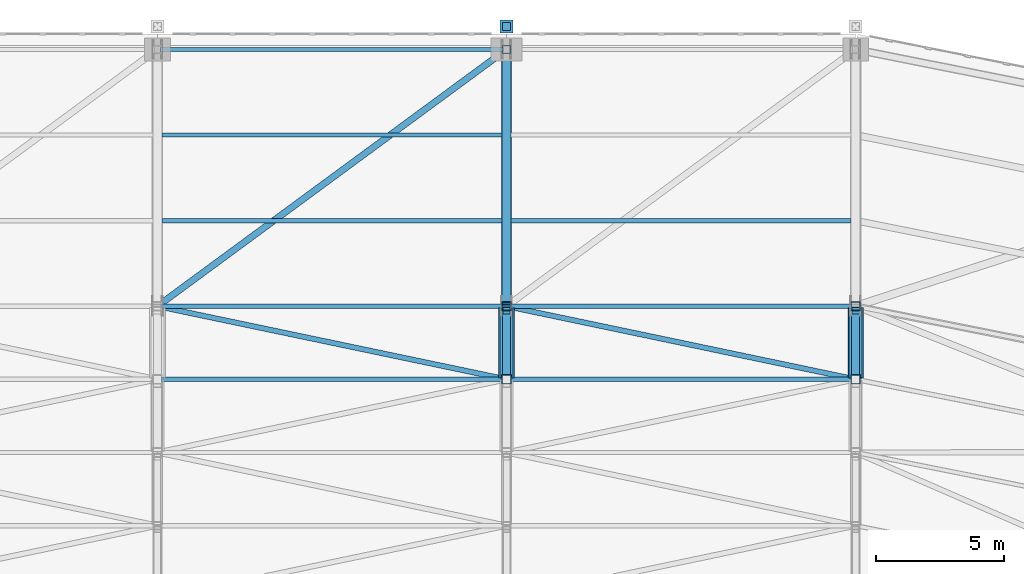
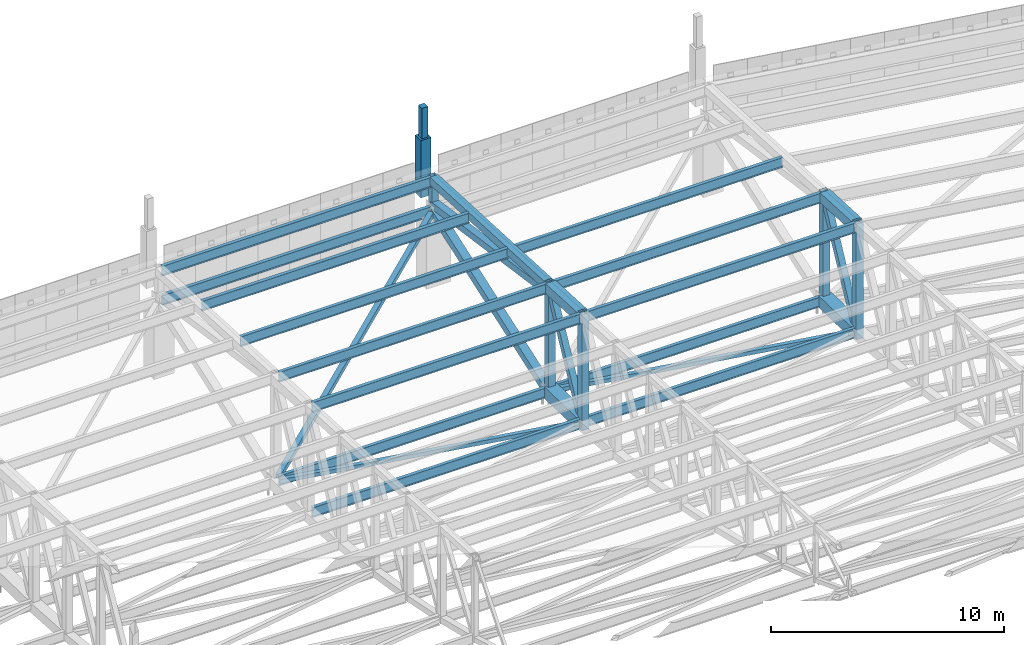
# One storey, part 92 of 278: 21 members, 11 beams.
"""IFC4 building model written with IfcOpenShell, lengths in metres."""

from ifc_helpers import new_model, si_unit, direction, frame, origin, origin_2d, place, context, subcontext, project, spatial, rectangle, hollow_rectangle, i_section, extrude, material, material_profile, profile_set, type_object, element, save


model = new_model("IFC4")

# Units and contexts
model_context = context("Model", 3, precision=1e-05, world=origin(), true_north=direction((0.0, 1.0)))
body_context = subcontext(model_context, "Body", "Model", "MODEL_VIEW")
ifc_project = project(units=[si_unit("LENGTHUNIT", "METRE"), si_unit("AREAUNIT", "SQUARE_METRE"), si_unit("VOLUMEUNIT", "CUBIC_METRE"), si_unit("PLANEANGLEUNIT", "RADIAN"), si_unit("MASSUNIT", "GRAM", prefix="KILO")], contexts=[model_context])

# Site, building, storey
site_placement = place(None, origin())
site = spatial("IfcSite", under=ifc_project, at=site_placement, CompositionType="ELEMENT")
building_placement = place(site_placement, origin())
building = spatial("IfcBuilding", under=site, at=building_placement, Name="Ogive Plaza Stadium", CompositionType="ELEMENT")
storey_placement = place(building_placement, frame((0.0, 0.0, 29.0)))
storey = spatial("IfcBuildingStorey", under=building, at=storey_placement, Name="Roof", CompositionType="ELEMENT", Elevation=29.0)

# Members
ifc_material_1 = material(Name="Concrete C45/55 precast", Category="concrete")
ifc_material_profile_1 = material_profile(ifc_material_1, rectangle(XDim=0.5, YDim=0.5, at=origin_2d()), Name="RC 500x500")
ifc_profile_set_1 = profile_set([ifc_material_profile_1], Name="Concrete C45/55 precast")
member_type_1 = type_object("IfcMemberType", Name="Precast pinnacle 500x500", PredefinedType="POST", material=ifc_profile_set_1)
member_1_placement = place(storey_placement, frame((20.39990234375, 103.39990234375, 4.0), z_axis=(0.0, 0.0, 1.0), x_axis=(-1.0, 0.0, 0.0)))
element("IfcMember", 1, at=member_1_placement, inside=storey, type_object=member_type_1, Name="PINNACLE R36", PredefinedType="POST", context=body_context, shape_type="SweptSolid", body=[
    extrude(rectangle(XDim=0.5, YDim=0.5, at=origin_2d()), origin(), (0.0, 0.0, 1.0), 3.0),
])
ifc_material_2 = material(Name="Concrete C45/55 precast", Category="concrete")
ifc_material_profile_2 = material_profile(ifc_material_2, rectangle(XDim=0.300048828125, YDim=0.300048828125, at=origin_2d()), Name="RC 300x300")
ifc_profile_set_2 = profile_set([ifc_material_profile_2], Name="Concrete C45/55 precast")
member_type_2 = type_object("IfcMemberType", Name="Precast spire 300x300", PredefinedType="MEMBER", material=ifc_profile_set_2)
member_2_placement = place(storey_placement, frame((20.39990234375, 103.39990234375, 7.0), z_axis=(0.0, 0.0, 1.0), x_axis=(-1.0, 0.0, 0.0)))
element("IfcMember", 2, at=member_2_placement, inside=storey, type_object=member_type_2, Name="SPIRE R36", PredefinedType="MEMBER", context=body_context, shape_type="SweptSolid", body=[
    extrude(rectangle(XDim=0.300048828125, YDim=0.300048828125, at=origin_2d()), origin(), (0.0, 0.0, 1.0), 1.60009765625),
])
ifc_material_3 = material(Name="Steel ASTM A500 Grade C", Category="steel")
ifc_material_profile_3 = material_profile(ifc_material_3, hollow_rectangle(XDim=0.25390625, YDim=0.25390625, WallThickness=0.0087890625, at=origin_2d()), Name="HSS10X10X3/8")
ifc_profile_set_3 = profile_set([ifc_material_profile_3], Name="Steel ASTM A500 Grade C")
member_type_3 = type_object("IfcMemberType", Name="Roof plan brace HSS10X10X3/8", PredefinedType="BRACE", material=ifc_profile_set_3)
member_3_placement = place(storey_placement, frame((7.02880859375, 92.668212890625, 0.362060546875), z_axis=(0.789806515967, 0.580738793181, 0.197352784197), x_axis=(-0.592389594991, 0.805651641683, 0.0)))
element("IfcMember", 3, at=member_3_placement, inside=storey, type_object=member_type_3, Name="ROOF BRACE B35 11", PredefinedType="BRACE", context=body_context, shape_type="SweptSolid", body=[
    extrude(hollow_rectangle(XDim=0.25390625, YDim=0.25390625, WallThickness=0.0087890625, at=origin_2d()), origin(), (0.0, 0.0, 1.0), 16.672119140625),
])
ifc_material_4 = material(Name="Steel ASTM A500 Grade C", Category="steel")
ifc_material_profile_4 = material_profile(ifc_material_4, hollow_rectangle(XDim=0.203125, YDim=0.203125, WallThickness=0.0087890625, at=origin_2d()), Name="HSS8X8X3/8")
ifc_profile_set_4 = profile_set([ifc_material_profile_4], Name="Steel ASTM A500 Grade C")
member_type_4 = type_object("IfcMemberType", Name="Roof plan brace HSS8X8X3/8", PredefinedType="BRACE", material=ifc_profile_set_4)
for number, where, z_axis, x_axis, name in (
    (4, (20.230712890625, 89.685546875, 0.3681640625), (-0.978729937555, 0.205101030564, -0.004612656051), (-0.205103212524, -0.978740349742, 0.0), "ROOF BRACE B35 10"),
    (5, (33.830810546875, 89.685546875, 0.3681640625), (-0.978729937555, 0.205101030564, -0.004612656051), (-0.205103212524, -0.978740349742, 0.0), "ROOF BRACE B36 10"),
):
    element("IfcMember", number, at=place(storey_placement, frame(where, z_axis=z_axis, x_axis=x_axis)), inside=storey, type_object=member_type_4, Name=name, PredefinedType="BRACE", context=body_context, shape_type="SweptSolid", body=[
        extrude(hollow_rectangle(XDim=0.203125, YDim=0.203125, WallThickness=0.0087890625, at=origin_2d()), origin(), (0.0, 0.0, 1.0), 13.549560546875),
    ])
ifc_material_5 = material(Name="Steel ASTM A992 Grade 50", Category="steel")
ifc_material_profile_5 = material_profile(ifc_material_5, i_section(OverallWidth=0.1650390625, OverallDepth=0.524658203125, WebThickness=0.0087890625, FlangeThickness=0.011474609375, at=origin_2d()), Name="W21X44")
ifc_profile_set_5 = profile_set([ifc_material_profile_5], Name="Steel ASTM A992 Grade 50")
member_type_5 = type_object("IfcMemberType", Name="Roof plan strut W21X44", PredefinedType="STRUT", material=ifc_profile_set_5)
for number, where, z_axis, x_axis, name in (
    (6, (6.94775390625, 89.64990234375, 0.369140625), (1.0, 0.0, 0.0), (0.0, 1.0, 0.0), "ROOF STRUT B35 9"),
    (7, (6.94775390625, 92.5, 0.3046875), (1.0, 0.0, 0.0), (0.0, 1.0, 0.0), "ROOF STRUT B35 10"),
):
    element("IfcMember", number, at=place(storey_placement, frame(where, z_axis=z_axis, x_axis=x_axis)), inside=storey, type_object=member_type_5, Name=name, PredefinedType="STRUT", context=body_context, shape_type="SweptSolid", body=[
        extrude(i_section(OverallWidth=0.1650390625, OverallDepth=0.524658203125, WebThickness=0.0087890625, FlangeThickness=0.011474609375, at=origin_2d()), origin(), (0.0, 0.0, 1.0), 13.304443359375),
    ])
member_4_placement = place(storey_placement, frame((6.92236328125, 102.5, 3.703125), z_axis=(1.0, 0.0, 0.0), x_axis=(0.0, 1.0, 0.0)))
element("IfcMember", 8, at=member_4_placement, inside=storey, type_object=member_type_5, Name="ROOF STRUT B35 11", PredefinedType="STRUT", context=body_context, shape_type="SweptSolid", body=[
    extrude(i_section(OverallWidth=0.1650390625, OverallDepth=0.524658203125, WebThickness=0.0087890625, FlangeThickness=0.011474609375, at=origin_2d()), origin(), (0.0, 0.0, 1.0), 13.355224609375),
])
for number, where, z_axis, x_axis, name in (
    (9, (20.5478515625, 89.64990234375, 0.369140625), (1.0, 0.0, 0.0), (0.0, 1.0, 0.0), "ROOF STRUT B36 9"),
    (10, (20.5478515625, 92.5, 0.3046875), (1.0, 0.0, 0.0), (0.0, 1.0, 0.0), "ROOF STRUT B36 10"),
):
    element("IfcMember", number, at=place(storey_placement, frame(where, z_axis=z_axis, x_axis=x_axis)), inside=storey, type_object=member_type_5, Name=name, PredefinedType="STRUT", context=body_context, shape_type="SweptSolid", body=[
        extrude(i_section(OverallWidth=0.1650390625, OverallDepth=0.524658203125, WebThickness=0.0087890625, FlangeThickness=0.011474609375, at=origin_2d()), origin(), (0.0, 0.0, 1.0), 13.304443359375),
    ])
ifc_material_6 = material(Name="Steel ASTM A992 Grade 50", Category="steel")
ifc_material_profile_6 = material_profile(ifc_material_6, i_section(OverallWidth=0.1650390625, OverallDepth=0.524658203125, WebThickness=0.0087890625, FlangeThickness=0.011474609375, at=origin_2d()), Name="W21X44")
ifc_profile_set_6 = profile_set([ifc_material_profile_6], Name="Steel ASTM A992 Grade 50")
member_type_6 = type_object("IfcMemberType", Name="Roof purlin W21X44", PredefinedType="PURLIN", material=ifc_profile_set_6)
for number, where, z_axis, x_axis, name in (
    (11, (6.94775390625, 89.64990234375, 5.880126953125), (1.0, 0.0, 0.0), (0.0, 1.0, 0.0), "ROOF PURLIN B35 9"),
    (12, (6.94775390625, 92.5, 5.737548828125), (1.0, 0.0, 0.0), (0.0, 1.0, 0.0), "ROOF PURLIN B35 10"),
):
    element("IfcMember", number, at=place(storey_placement, frame(where, z_axis=z_axis, x_axis=x_axis)), inside=storey, type_object=member_type_6, Name=name, PredefinedType="PURLIN", context=body_context, shape_type="SweptSolid", body=[
        extrude(i_section(OverallWidth=0.1650390625, OverallDepth=0.524658203125, WebThickness=0.0087890625, FlangeThickness=0.011474609375, at=origin_2d()), origin(), (0.0, 0.0, 1.0), 13.304443359375),
    ])
for number, where, z_axis, x_axis, name in (
    (13, (6.97314453125, 95.833251953125, 5.571044921875), (1.0, 0.0, 0.0), (0.0, 1.0, 0.0), "ROOF PURLIN B35 11"),
    (14, (6.97314453125, 99.166748046875, 5.404296875), (1.0, 0.0, 0.0), (0.0, 1.0, 0.0), "ROOF PURLIN B35 12"),
):
    element("IfcMember", number, at=place(storey_placement, frame(where, z_axis=z_axis, x_axis=x_axis)), inside=storey, type_object=member_type_6, Name=name, PredefinedType="PURLIN", context=body_context, shape_type="SweptSolid", body=[
        extrude(i_section(OverallWidth=0.1650390625, OverallDepth=0.524658203125, WebThickness=0.0087890625, FlangeThickness=0.011474609375, at=origin_2d()), origin(), (0.0, 0.0, 1.0), 13.253662109375),
    ])
member_5_placement = place(storey_placement, frame((6.92236328125, 102.5, 5.237548828125), z_axis=(1.0, 0.0, 0.0), x_axis=(0.0, 1.0, 0.0)))
element("IfcMember", 15, at=member_5_placement, inside=storey, type_object=member_type_6, Name="ROOF PURLIN B35 13", PredefinedType="PURLIN", context=body_context, shape_type="SweptSolid", body=[
    extrude(i_section(OverallWidth=0.1650390625, OverallDepth=0.524658203125, WebThickness=0.0087890625, FlangeThickness=0.011474609375, at=origin_2d()), origin(), (0.0, 0.0, 1.0), 13.355224609375),
])
for number, where, z_axis, x_axis, name in (
    (16, (20.5478515625, 89.64990234375, 5.880126953125), (1.0, 0.0, 0.0), (0.0, 1.0, 0.0), "ROOF PURLIN B36 9"),
    (17, (20.5478515625, 92.5, 5.737548828125), (1.0, 0.0, 0.0), (0.0, 1.0, 0.0), "ROOF PURLIN B36 10"),
):
    element("IfcMember", number, at=place(storey_placement, frame(where, z_axis=z_axis, x_axis=x_axis)), inside=storey, type_object=member_type_6, Name=name, PredefinedType="PURLIN", context=body_context, shape_type="SweptSolid", body=[
        extrude(i_section(OverallWidth=0.1650390625, OverallDepth=0.524658203125, WebThickness=0.0087890625, FlangeThickness=0.011474609375, at=origin_2d()), origin(), (0.0, 0.0, 1.0), 13.304443359375),
    ])
member_6_placement = place(storey_placement, frame((20.5732421875, 95.833251953125, 5.571044921875), z_axis=(1.0, 0.0, 0.0), x_axis=(0.0, 1.0, 0.0)))
element("IfcMember", 18, at=member_6_placement, inside=storey, type_object=member_type_6, Name="ROOF PURLIN B36 11", PredefinedType="PURLIN", context=body_context, shape_type="SweptSolid", body=[
    extrude(i_section(OverallWidth=0.1650390625, OverallDepth=0.524658203125, WebThickness=0.0087890625, FlangeThickness=0.011474609375, at=origin_2d()), origin(), (0.0, 0.0, 1.0), 13.253662109375),
])

# Beams
ifc_material_7 = material(Name="Steel ASTM A500 Grade C", Category="steel")
ifc_material_profile_7 = material_profile(ifc_material_7, hollow_rectangle(XDim=0.406494140625, YDim=0.406494140625, WallThickness=0.0146484375, at=origin_2d()), Name="HSS16X16X5/8")
ifc_profile_set_7 = profile_set([ifc_material_profile_7], Name="Steel ASTM A500 Grade C")
beam_type_1 = type_object("IfcBeamType", Name="Roof truss back-span bottom chord HSS16X16X5/8", PredefinedType="BEAM", material=ifc_profile_set_7)
beam_1_placement = place(storey_placement, frame((20.39990234375, 92.550048828125, 0.232666015625), z_axis=(0.0, 0.943851085966, 0.330371196567), x_axis=(-1.0, 0.0, 0.0)))
element("IfcBeam", 19, at=beam_1_placement, inside=storey, type_object=beam_type_1, Name="ROOF TRUSS T36 BOTTOM CHORD 11", PredefinedType="BEAM", context=body_context, shape_type="SweptSolid", body=[
    extrude(hollow_rectangle(XDim=0.406494140625, YDim=0.406494140625, WallThickness=0.0146484375, at=origin_2d()), origin(), (0.0, 0.0, 1.0), 10.470703125),
])
ifc_material_8 = material(Name="Steel ASTM A500 Grade C", Category="steel")
ifc_material_profile_8 = material_profile(ifc_material_8, hollow_rectangle(XDim=0.406494140625, YDim=0.406494140625, WallThickness=0.0146484375, at=origin_2d()), Name="HSS16X16X5/8")
ifc_profile_set_8 = profile_set([ifc_material_profile_8], Name="Steel ASTM A500 Grade C")
beam_type_2 = type_object("IfcBeamType", Name="Roof truss back-span top chord HSS16X16X5/8", PredefinedType="BEAM", material=ifc_profile_set_8)
beam_2_placement = place(storey_placement, frame((20.39990234375, 92.550048828125, 5.7939453125), z_axis=(0.0, 0.998752953021, -0.049925332571), x_axis=(-1.0, 0.0, 0.0)))
element("IfcBeam", 20, at=beam_2_placement, inside=storey, type_object=beam_type_2, Name="ROOF TRUSS T36 TOP CHORD 11", PredefinedType="BEAM", context=body_context, shape_type="SweptSolid", body=[
    extrude(hollow_rectangle(XDim=0.406494140625, YDim=0.406494140625, WallThickness=0.0146484375, at=origin_2d()), origin(), (0.0, 0.0, 1.0), 9.912353515625),
])

# Member
ifc_material_9 = material(Name="Steel ASTM A500 Grade C", Category="steel")
ifc_material_profile_9 = material_profile(ifc_material_9, hollow_rectangle(XDim=0.355712890625, YDim=0.355712890625, WallThickness=0.0146484375, at=origin_2d()), Name="HSS14X14X5/8")
ifc_profile_set_9 = profile_set([ifc_material_profile_9], Name="Steel ASTM A500 Grade C")
member_type_7 = type_object("IfcMemberType", Name="Roof truss back-stay HSS14X14X5/8", PredefinedType="BRACE", material=ifc_profile_set_9)
member_7_placement = place(storey_placement, frame((20.39990234375, 92.593017578125, 5.45654296875), z_axis=(0.0, 0.989844100519, -0.142157154826), x_axis=(-1.0, 0.0, 0.0)))
element("IfcMember", 21, at=member_7_placement, inside=storey, type_object=member_type_7, Name="BACK-STAY T36", PredefinedType="BRACE", context=body_context, shape_type="SweptSolid", body=[
    extrude(hollow_rectangle(XDim=0.355712890625, YDim=0.355712890625, WallThickness=0.0146484375, at=origin_2d()), origin(), (0.0, 0.0, 1.0), 9.9404296875),
])

# Beams
ifc_material_10 = material(Name="Steel ASTM A500 Grade C", Category="steel")
ifc_material_profile_10 = material_profile(ifc_material_10, hollow_rectangle(XDim=0.609619140625, YDim=0.609619140625, WallThickness=0.0146484375, at=origin_2d()), Name="HSS24X24X5/8")
ifc_profile_set_10 = profile_set([ifc_material_profile_10], Name="Steel ASTM A500 Grade C")
beam_type_3 = type_object("IfcBeamType", Name="Roof truss bottom chord HSS24X24X5/8", PredefinedType="BEAM", material=ifc_profile_set_10)
for number, where, z_axis, x_axis, name in (
    (22, (20.39990234375, 89.699951171875, 0.367919921875), (0.0, 0.999745852076, -0.022543984946), (-1.0, 0.0, 0.0), "ROOF TRUSS T36 BOTTOM CHORD 10"),
    (23, (34.0, 89.699951171875, 0.367919921875), (0.0, 0.999745852076, -0.022543984946), (-1.0, 0.0, 0.0), "ROOF TRUSS T37 BOTTOM CHORD 10"),
):
    element("IfcBeam", number, at=place(storey_placement, frame(where, z_axis=z_axis, x_axis=x_axis)), inside=storey, type_object=beam_type_3, Name=name, PredefinedType="BEAM", context=body_context, shape_type="SweptSolid", body=[
        extrude(hollow_rectangle(XDim=0.609619140625, YDim=0.609619140625, WallThickness=0.0146484375, at=origin_2d()), origin(), (0.0, 0.0, 1.0), 2.750732421875),
    ])

# Members
ifc_material_11 = material(Name="Steel ASTM A500 Grade C", Category="steel")
ifc_material_profile_11 = material_profile(ifc_material_11, hollow_rectangle(XDim=0.3046875, YDim=0.3046875, WallThickness=0.0087890625, at=origin_2d()), Name="HSS12X12X3/8")
ifc_profile_set_11 = profile_set([ifc_material_profile_11], Name="Steel ASTM A500 Grade C")
member_type_8 = type_object("IfcMemberType", Name="Roof truss diagonal HSS12X12X3/8", PredefinedType="BRACE", material=ifc_profile_set_11)
for number, where, z_axis, x_axis, name in (
    (24, (20.39990234375, 89.827880859375, 0.673828125), (0.0, 0.459750963822, 0.888047887934), (-1.0, 0.0, 0.0), "ROOF TRUSS T36 DIAGONAL 10"),
    (25, (34.0, 89.827880859375, 0.673828125), (0.0, 0.459750963822, 0.888047887934), (-1.0, 0.0, 0.0), "ROOF TRUSS T37 DIAGONAL 10"),
):
    element("IfcMember", number, at=place(storey_placement, frame(where, z_axis=z_axis, x_axis=x_axis)), inside=storey, type_object=member_type_8, Name=name, PredefinedType="BRACE", context=body_context, shape_type="SweptSolid", body=[
        extrude(hollow_rectangle(XDim=0.3046875, YDim=0.3046875, WallThickness=0.0087890625, at=origin_2d()), origin(), (0.0, 0.0, 1.0), 5.425537109375),
    ])

# Beams
ifc_material_12 = material(Name="Steel ASTM A500 Grade C", Category="steel")
ifc_material_profile_12 = material_profile(ifc_material_12, hollow_rectangle(XDim=0.3046875, YDim=0.3046875, WallThickness=0.01171875, at=origin_2d()), Name="HSS12X12X1/2")
ifc_profile_set_12 = profile_set([ifc_material_profile_12], Name="Steel ASTM A500 Grade C")
beam_type_4 = type_object("IfcBeamType", Name="Roof truss post HSS12X12X1/2", PredefinedType="BEAM", material=ifc_profile_set_12)
beam_3_placement = place(storey_placement, frame((20.39990234375, 102.5, 3.43994140625), z_axis=(0.0, 0.0, 1.0), x_axis=(-1.0, 0.0, 0.0)))
element("IfcBeam", 26, at=beam_3_placement, inside=storey, type_object=beam_type_4, Name="ROOF TRUSS T36 POST 12", PredefinedType="BEAM", context=body_context, shape_type="SweptSolid", body=[
    extrude(hollow_rectangle(XDim=0.3046875, YDim=0.3046875, WallThickness=0.01171875, at=origin_2d()), origin(), (0.0, 0.0, 1.0), 2.06005859375),
])
ifc_material_13 = material(Name="Steel ASTM A500 Grade C", Category="steel")
ifc_material_profile_13 = material_profile(ifc_material_13, hollow_rectangle(XDim=0.355712890625, YDim=0.355712890625, WallThickness=0.0146484375, at=origin_2d()), Name="HSS14X14X5/8")
ifc_profile_set_13 = profile_set([ifc_material_profile_13], Name="Steel ASTM A500 Grade C")
beam_type_5 = type_object("IfcBeamType", Name="Roof truss post HSS14X14X5/8", PredefinedType="BEAM", material=ifc_profile_set_13)
beam_4_placement = place(storey_placement, frame((20.39990234375, 89.64990234375, 0.064208984375), z_axis=(0.0, 0.0, 1.0), x_axis=(-1.0, 0.0, 0.0)))
element("IfcBeam", 27, at=beam_4_placement, inside=storey, type_object=beam_type_5, Name="ROOF TRUSS T36 POST 10", PredefinedType="BEAM", context=body_context, shape_type="SweptSolid", body=[
    extrude(hollow_rectangle(XDim=0.355712890625, YDim=0.355712890625, WallThickness=0.0146484375, at=origin_2d()), origin(), (0.0, 0.0, 1.0), 6.078369140625),
])
beam_5_placement = place(storey_placement, frame((20.39990234375, 92.5, -0.06005859375), z_axis=(0.0, 0.0, 1.0), x_axis=(-1.0, 0.0, 0.0)))
element("IfcBeam", 28, at=beam_5_placement, inside=storey, type_object=beam_type_5, Name="ROOF TRUSS T36 POST 11", PredefinedType="BEAM", context=body_context, shape_type="SweptSolid", body=[
    extrude(hollow_rectangle(XDim=0.355712890625, YDim=0.355712890625, WallThickness=0.0146484375, at=origin_2d()), origin(), (0.0, 0.0, 1.0), 6.06005859375),
])
beam_6_placement = place(storey_placement, frame((34.0, 89.64990234375, 0.064208984375), z_axis=(0.0, 0.0, 1.0), x_axis=(-1.0, 0.0, 0.0)))
element("IfcBeam", 29, at=beam_6_placement, inside=storey, type_object=beam_type_5, Name="ROOF TRUSS T37 POST 10", PredefinedType="BEAM", context=body_context, shape_type="SweptSolid", body=[
    extrude(hollow_rectangle(XDim=0.355712890625, YDim=0.355712890625, WallThickness=0.0146484375, at=origin_2d()), origin(), (0.0, 0.0, 1.0), 6.078369140625),
])
beam_7_placement = place(storey_placement, frame((34.0, 92.5, -0.06005859375), z_axis=(0.0, 0.0, 1.0), x_axis=(-1.0, 0.0, 0.0)))
element("IfcBeam", 30, at=beam_7_placement, inside=storey, type_object=beam_type_5, Name="ROOF TRUSS T37 POST 11", PredefinedType="BEAM", context=body_context, shape_type="SweptSolid", body=[
    extrude(hollow_rectangle(XDim=0.355712890625, YDim=0.355712890625, WallThickness=0.0146484375, at=origin_2d()), origin(), (0.0, 0.0, 1.0), 6.06005859375),
])
ifc_material_14 = material(Name="Steel ASTM A500 Grade C", Category="steel")
ifc_material_profile_14 = material_profile(ifc_material_14, hollow_rectangle(XDim=0.508056640625, YDim=0.508056640625, WallThickness=0.0146484375, at=origin_2d()), Name="HSS20X20X5/8")
ifc_profile_set_14 = profile_set([ifc_material_profile_14], Name="Steel ASTM A500 Grade C")
beam_type_6 = type_object("IfcBeamType", Name="Roof truss top chord HSS20X20X5/8", PredefinedType="BEAM", material=ifc_profile_set_14)
for number, where, z_axis, x_axis, name in (
    (31, (20.39990234375, 89.699951171875, 5.8857421875), (0.0, 0.998753223187, -0.049919927615), (-1.0, 0.0, 0.0), "ROOF TRUSS T36 TOP CHORD 10"),
    (32, (34.0, 89.699951171875, 5.8857421875), (0.0, 0.998753223187, -0.049919927615), (-1.0, 0.0, 0.0), "ROOF TRUSS T37 TOP CHORD 10"),
):
    element("IfcBeam", number, at=place(storey_placement, frame(where, z_axis=z_axis, x_axis=x_axis)), inside=storey, type_object=beam_type_6, Name=name, PredefinedType="BEAM", context=body_context, shape_type="SweptSolid", body=[
        extrude(hollow_rectangle(XDim=0.508056640625, YDim=0.508056640625, WallThickness=0.0146484375, at=origin_2d()), origin(), (0.0, 0.0, 1.0), 2.75341796875),
    ])

save(model, "model.ifc")
